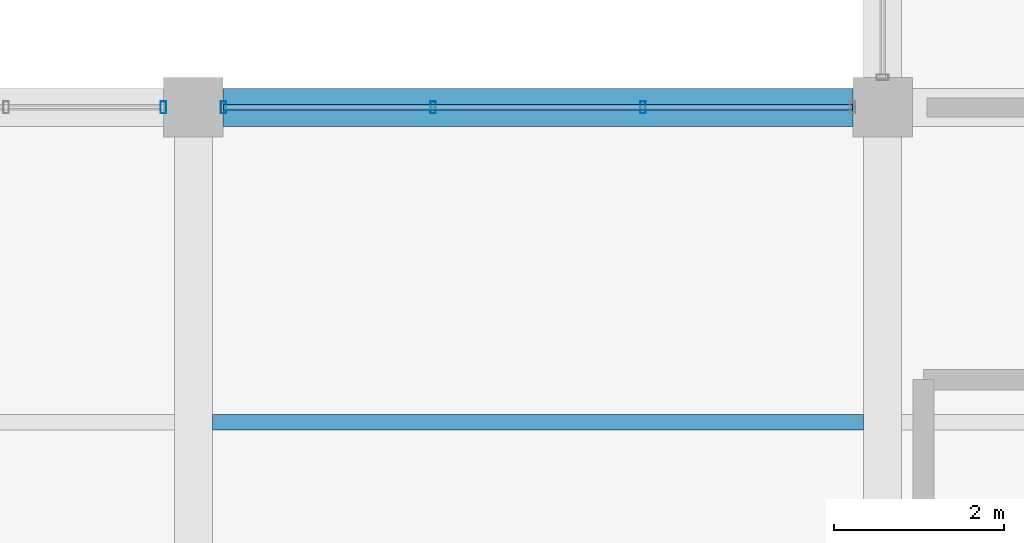
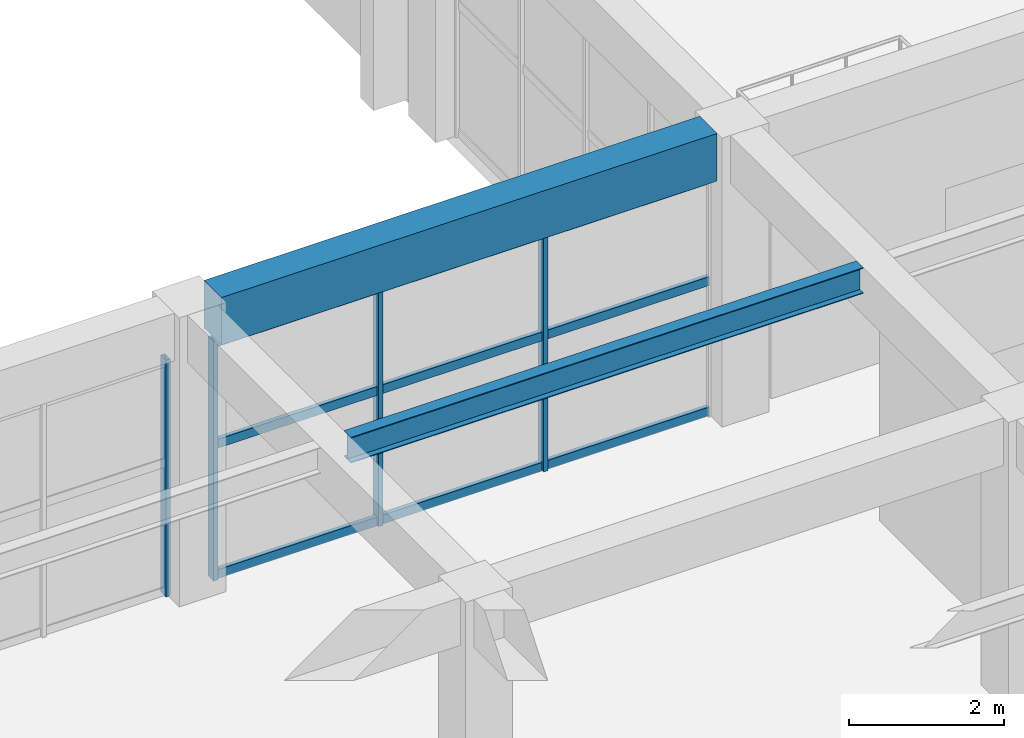
# One storey, part 13 of 161: 7 members, 2 beams, 2 elements without a shape of their own.
"""IFC4 building model written with IfcOpenShell, lengths in metres."""

from ifc_helpers import new_model, si_unit, direction, frame, origin, origin_2d, place, context, subcontext, project, spatial, rectangle, hollow_rectangle, i_section, extrude, material, material_profile, profile_set, type_object, element, aggregate, save


model = new_model("IFC4")

# Units and contexts
model_context = context("Model", 3, precision=1e-05, world=origin(), true_north=direction((0.0, 1.0)))
body_context = subcontext(model_context, "Body", "Model", "MODEL_VIEW")
ifc_project = project(units=[si_unit("LENGTHUNIT", "METRE"), si_unit("AREAUNIT", "SQUARE_METRE"), si_unit("VOLUMEUNIT", "CUBIC_METRE"), si_unit("PLANEANGLEUNIT", "RADIAN"), si_unit("MASSUNIT", "GRAM", prefix="KILO")], contexts=[model_context])

# Site, building, storey
site_placement = place(None, origin())
site = spatial("IfcSite", under=ifc_project, at=site_placement, CompositionType="ELEMENT")
building_placement = place(site_placement, origin())
building = spatial("IfcBuilding", under=site, at=building_placement, Name="Cimatlan Art Gallery", CompositionType="ELEMENT")
storey_placement = place(building_placement, frame((0.0, 0.0, 5.39990234375)))
storey = spatial("IfcBuildingStorey", under=building, at=storey_placement, Name="L01", CompositionType="ELEMENT", Elevation=5.39990234375)

# Beams
ifc_material_1 = material(Name="Concrete C40/50", Category="concrete")
ifc_material_profile_1 = material_profile(ifc_material_1, rectangle(XDim=0.449951171875, YDim=0.75, at=origin_2d()), Name="RC450X750")
ifc_profile_set_1 = profile_set([ifc_material_profile_1], Name="Concrete C40/50")
beam_type_1 = type_object("IfcBeamType", Name="BM-RC-450X750", PredefinedType="BEAM", material=ifc_profile_set_1)
beam_1_placement = place(storey_placement, frame((26.64990234375, 38.699951171875, 4.18505859375), z_axis=(1.0, 0.0, 0.0), x_axis=(0.0, 1.0, 0.0)))
element("IfcBeam", 1, at=beam_1_placement, inside=storey, type_object=beam_type_1, Name="BM-X-L01-03-05", PredefinedType="BEAM", context=body_context, shape_type="SweptSolid", body=[
    extrude(rectangle(XDim=0.449951171875, YDim=0.75, at=origin_2d()), origin(), (0.0, 0.0, 1.0), 7.400146484375),
])
ifc_material_2 = material(Name="Steel ASTM A992 Grade 50", Category="steel")
ifc_material_profile_2 = material_profile(ifc_material_2, i_section(OverallWidth=0.177978515625, OverallDepth=0.406982421875, WebThickness=0.0078125, FlangeThickness=0.0126953125, at=origin_2d()), Name="W16X40")
ifc_profile_set_2 = profile_set([ifc_material_profile_2], Name="Steel ASTM A992 Grade 50")
beam_type_2 = type_object("IfcBeamType", Name="BM-STL-W16X40", PredefinedType="JOIST", material=ifc_profile_set_2)
beam_2_placement = place(storey_placement, frame((26.52490234375, 35.0, 4.356689453125), z_axis=(1.0, 0.0, 0.0), x_axis=(0.0, 1.0, 0.0)))
element("IfcBeam", 2, at=beam_2_placement, inside=storey, type_object=beam_type_2, Name="JST-L01-03-04", PredefinedType="JOIST", context=body_context, shape_type="SweptSolid", body=[
    extrude(i_section(OverallWidth=0.177978515625, OverallDepth=0.406982421875, WebThickness=0.0078125, FlangeThickness=0.0126953125, at=origin_2d()), origin(), (0.0, 0.0, 1.0), 7.650146484375),
])

# Curtain wall, member
ifc_material_3 = material(Name="Anodised bronze unitised curtain wall")
curtain_wall_type_1 = type_object("IfcCurtainWallType", Name="CW-V-07392X03735-B4", PredefinedType="NOTDEFINED", material=ifc_material_3)
curtain_wall_1_placement = place(storey_placement, origin())
curtain_wall_1 = element("IfcCurtainWall", 3, at=curtain_wall_1_placement, inside=storey, type_object=curtain_wall_type_1, Name="CW-L01-02-04-N", PredefinedType="NOTDEFINED")
ifc_material_4 = material(Name="Anodised bronze aluminium 6063-T6", Category="aluminium")
ifc_material_profile_3 = material_profile(ifc_material_4, hollow_rectangle(XDim=0.06494140625, YDim=0.139892578125, WallThickness=0.00390625, at=origin_2d()), Name="ALU65X140X4")
ifc_profile_set_3 = profile_set([ifc_material_profile_3], Name="Anodised bronze aluminium 6063-T6")
member_type_1 = type_object("IfcMemberType", Name="CW-MUL-140", PredefinedType="MULLION", material=ifc_profile_set_3)
member_1_placement = place(storey_placement, frame((25.946044921875, 38.699951171875, 0.0), z_axis=(0.0, 0.0, 1.0), x_axis=(1.0, 0.0, 0.0)))
member_1 = element("IfcMember", 4, at=member_1_placement, type_object=member_type_1, Name="CW-L01-02-04-N-M5", PredefinedType="MULLION", context=body_context, shape_type="SweptSolid", body=[
    extrude(hollow_rectangle(XDim=0.06494140625, YDim=0.139892578125, WallThickness=0.00390625, at=origin_2d()), origin(), (0.0, 0.0, 1.0), 3.735107421875),
])
aggregate(curtain_wall_1, [member_1])

# Curtain wall, members
curtain_wall_type_2 = type_object("IfcCurtainWallType", Name="CW-V-07392X03780-B3", PredefinedType="NOTDEFINED", material=ifc_material_3)
curtain_wall_2_placement = place(storey_placement, origin())
curtain_wall_2 = element("IfcCurtainWall", 5, at=curtain_wall_2_placement, inside=storey, type_object=curtain_wall_type_2, Name="CW-L01-03-04-N", PredefinedType="NOTDEFINED")
member_2_placement = place(storey_placement, frame((26.654052734375, 38.699951171875, 0.0), z_axis=(0.0, 0.0, 1.0), x_axis=(1.0, 0.0, 0.0)))
member_2 = element("IfcMember", 6, at=member_2_placement, type_object=member_type_1, Name="CW-L01-03-04-N-M1", PredefinedType="MULLION", context=body_context, shape_type="SweptSolid", body=[
    extrude(hollow_rectangle(XDim=0.06494140625, YDim=0.139892578125, WallThickness=0.00390625, at=origin_2d()), origin(), (0.0, 0.0, 1.0), 3.780029296875),
])
member_3_placement = place(storey_placement, frame((29.117919921875, 38.699951171875, 0.0), z_axis=(0.0, 0.0, 1.0), x_axis=(1.0, 0.0, 0.0)))
member_3 = element("IfcMember", 7, at=member_3_placement, type_object=member_type_1, Name="CW-L01-03-04-N-M2", PredefinedType="MULLION", context=body_context, shape_type="SweptSolid", body=[
    extrude(hollow_rectangle(XDim=0.06494140625, YDim=0.139892578125, WallThickness=0.00390625, at=origin_2d()), origin(), (0.0, 0.0, 1.0), 3.780029296875),
])
member_4_placement = place(storey_placement, frame((31.58203125, 38.699951171875, 0.0), z_axis=(0.0, 0.0, 1.0), x_axis=(1.0, 0.0, 0.0)))
member_4 = element("IfcMember", 8, at=member_4_placement, type_object=member_type_1, Name="CW-L01-03-04-N-M3", PredefinedType="MULLION", context=body_context, shape_type="SweptSolid", body=[
    extrude(hollow_rectangle(XDim=0.06494140625, YDim=0.139892578125, WallThickness=0.00390625, at=origin_2d()), origin(), (0.0, 0.0, 1.0), 3.780029296875),
])
ifc_material_profile_4 = material_profile(ifc_material_4, hollow_rectangle(XDim=0.06494140625, YDim=0.139892578125, WallThickness=0.00390625, at=origin_2d()), Name="ALU65X140X4")
ifc_profile_set_4 = profile_set([ifc_material_profile_4], Name="Anodised bronze aluminium 6063-T6")
member_type_2 = type_object("IfcMemberType", Name="CW-TRN-140", PredefinedType="USERDEFINED", material=ifc_profile_set_4)
member_5_placement = place(storey_placement, frame((26.654052734375, 38.699951171875, 0.06005859375), z_axis=(1.0, 0.0, 0.0), x_axis=(0.0, 1.0, 0.0)))
member_5 = element("IfcMember", 9, at=member_5_placement, type_object=member_type_2, Name="CW-L01-03-04-N-T1", ObjectType="TRANSOM", PredefinedType="USERDEFINED", context=body_context, shape_type="SweptSolid", body=[
    extrude(hollow_rectangle(XDim=0.06494140625, YDim=0.139892578125, WallThickness=0.00390625, at=origin_2d()), origin(), (0.0, 0.0, 1.0), 7.391845703125),
])
member_6_placement = place(storey_placement, frame((26.654052734375, 38.699951171875, 2.116943359375), z_axis=(1.0, 0.0, 0.0), x_axis=(0.0, 1.0, 0.0)))
member_6 = element("IfcMember", 10, at=member_6_placement, type_object=member_type_2, Name="CW-L01-03-04-N-T2", ObjectType="TRANSOM", PredefinedType="USERDEFINED", context=body_context, shape_type="SweptSolid", body=[
    extrude(hollow_rectangle(XDim=0.06494140625, YDim=0.139892578125, WallThickness=0.00390625, at=origin_2d()), origin(), (0.0, 0.0, 1.0), 7.391845703125),
])
member_7_placement = place(storey_placement, frame((26.654052734375, 38.699951171875, 3.72021484375), z_axis=(1.0, 0.0, 0.0), x_axis=(0.0, 1.0, 0.0)))
member_7 = element("IfcMember", 11, at=member_7_placement, type_object=member_type_2, Name="CW-L01-03-04-N-T3", ObjectType="TRANSOM", PredefinedType="USERDEFINED", context=body_context, shape_type="SweptSolid", body=[
    extrude(hollow_rectangle(XDim=0.06494140625, YDim=0.139892578125, WallThickness=0.00390625, at=origin_2d()), origin(), (0.0, 0.0, 1.0), 7.391845703125),
])
aggregate(curtain_wall_2, [member_2, member_3, member_4, member_5, member_6, member_7])

save(model, "model.ifc")
